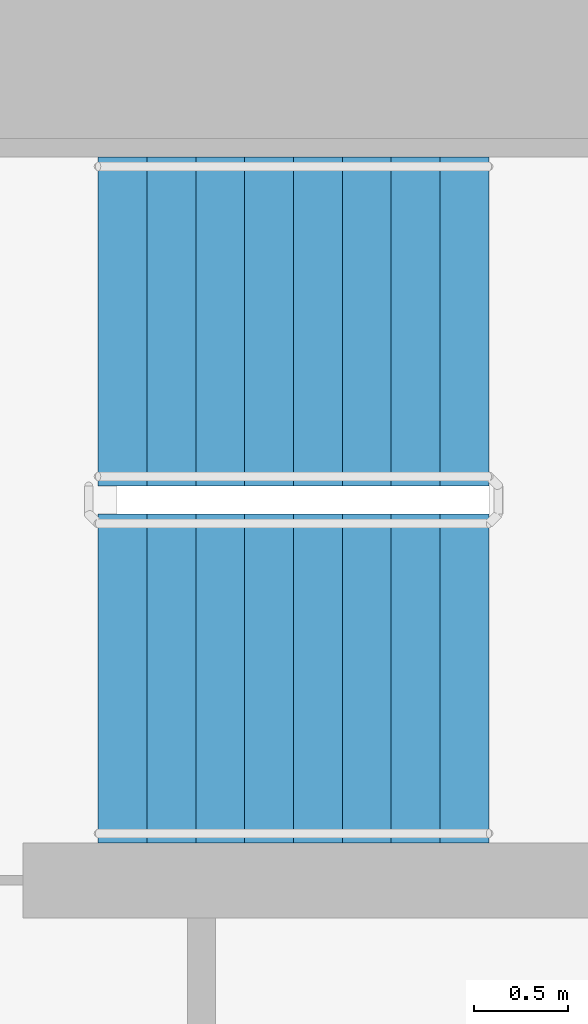
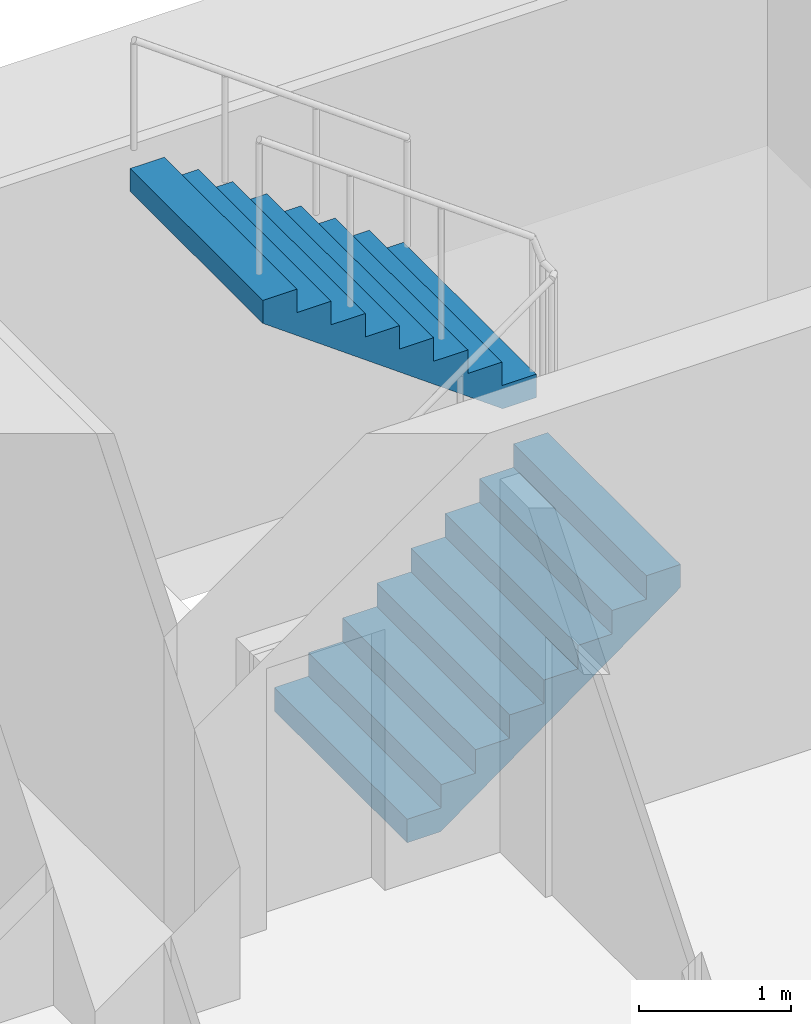
# One storey, part 17 of 21: 2 stair flights, 1 element without a shape of its own.
"""IFC4 building model written with IfcOpenShell, lengths in metres."""

from ifc_helpers import new_model, si_unit, direction, frame, origin, place, context, subcontext, project, spatial, faceted_brep, material, type_object, element, aggregate, save


model = new_model("IFC4")

# Units and contexts
model_context = context("Model", 3, precision=1e-05, world=origin(), true_north=direction((0.0, 1.0)))
body_context = subcontext(model_context, "Body", "Model", "MODEL_VIEW")
ifc_project = project(units=[si_unit("LENGTHUNIT", "METRE"), si_unit("AREAUNIT", "SQUARE_METRE"), si_unit("VOLUMEUNIT", "CUBIC_METRE"), si_unit("PLANEANGLEUNIT", "RADIAN"), si_unit("MASSUNIT", "GRAM", prefix="KILO")], contexts=[model_context])

# Site, building, storey
site_placement = place(None, origin())
site = spatial("IfcSite", under=ifc_project, at=site_placement, CompositionType="ELEMENT")
building_placement = place(site_placement, origin())
building = spatial("IfcBuilding", under=site, at=building_placement, Name="Ipe Terrace Towers", CompositionType="ELEMENT")
storey_placement = place(building_placement, frame((0.0, 0.0, 48.300048828125)))
storey = spatial("IfcBuildingStorey", under=building, at=storey_placement, Name="L12", CompositionType="ELEMENT", Elevation=48.300048828125)

# Stair, stair flights
ifc_material_1 = material(Name="Concrete C30/37", Category="concrete")
stair_type = type_object("IfcStairType", Name="Protected exit stair", PredefinedType="HALF_TURN_STAIR", material=ifc_material_1)
stair_placement = place(storey_placement, origin())
stair = element("IfcStair", 1, at=stair_placement, inside=storey, type_object=stair_type, Name="L12 Exit stair T1-C1", PredefinedType="HALF_TURN_STAIR")
ifc_material_2 = material(Name="Concrete C30/37", Category="concrete")
stair_flight_type = type_object("IfcStairFlightType", Name="Exit stair flight 1750", PredefinedType="STRAIGHT", material=ifc_material_2)
stair_flight_1_placement = place(storey_placement, frame((-26.300048828125, 2.77490234375, 0.0), z_axis=(0.0, 0.0, 1.0), x_axis=(1.0, 0.0, 0.0)))
stair_flight_1 = element("IfcStairFlight", 2, at=stair_flight_1_placement, type_object=stair_flight_type, Name="T1-ST1 flight 1", NumberOfRisers=9, NumberOfTreads=8, PredefinedType="STRAIGHT", RiserHeight=0.188888889, TreadLength=0.26, context=body_context, shape_type="Brep", body=[
    faceted_brep([(0.255126953125, -0.875, 0.0), (2.080078125, -0.875, 1.325927734375), (2.080078125, -0.875, 1.51123046875), (1.820068359375, -0.875, 1.51123046875), (1.820068359375, -0.875, 1.322265625), (1.56005859375, -0.875, 1.322265625), (1.56005859375, -0.875, 1.13330078125), (1.300048828125, -0.875, 1.13330078125), (1.300048828125, -0.875, 0.9443359375), (1.0400390625, -0.875, 0.9443359375), (1.0400390625, -0.875, 0.755615234375), (0.780029296875, -0.875, 0.755615234375), (0.780029296875, -0.875, 0.566650390625), (0.52001953125, -0.875, 0.566650390625), (0.52001953125, -0.875, 0.377685546875), (0.260009765625, -0.875, 0.377685546875), (0.260009765625, -0.875, 0.18896484375), (0.0, -0.875, 0.18896484375), (0.0, -0.875, 0.0), (0.0, 0.875, 0.0), (0.0, 0.875, 0.18896484375), (0.260009765625, 0.875, 0.18896484375), (0.260009765625, 0.875, 0.377685546875), (0.52001953125, 0.875, 0.377685546875), (0.52001953125, 0.875, 0.566650390625), (0.780029296875, 0.875, 0.566650390625), (0.780029296875, 0.875, 0.755615234375), (1.0400390625, 0.875, 0.755615234375), (1.0400390625, 0.875, 0.9443359375), (1.300048828125, 0.875, 0.9443359375), (1.300048828125, 0.875, 1.13330078125), (1.56005859375, 0.875, 1.13330078125), (1.56005859375, 0.875, 1.322265625), (1.820068359375, 0.875, 1.322265625), (1.820068359375, 0.875, 1.51123046875), (2.080078125, 0.875, 1.51123046875), (2.080078125, 0.875, 1.325927734375), (0.255126953125, 0.875, 0.0), (0.0, -0.300048828125, 0.18896484375), (0.0, -0.1201171875, 0.18896484375), (0.0, -0.06005859375, 0.18896484375), (0.0, -0.030029296875, 0.18896484375), (0.0, -0.010009765625, 0.18896484375), (0.0, 0.0, 0.18896484375), (0.0, 0.010009765625, 0.18896484375), (0.0, 0.030029296875, 0.18896484375), (0.0, 0.06005859375, 0.18896484375), (0.0, 0.1201171875, 0.18896484375), (0.0, 0.300048828125, 0.18896484375), (0.0, 0.300048828125, 0.0), (0.0, 0.1201171875, 0.0), (0.0, 0.06005859375, 0.0), (0.0, 0.030029296875, 0.0), (0.0, 0.010009765625, 0.0), (0.0, 0.0, 0.0), (0.0, -0.010009765625, 0.0), (0.0, -0.030029296875, 0.0), (0.0, -0.06005859375, 0.0), (0.0, -0.1201171875, 0.0), (0.0, -0.300048828125, 0.0), (0.260009765625, -0.300048828125, 0.18896484375), (0.260009765625, -0.1201171875, 0.18896484375), (0.260009765625, -0.06005859375, 0.18896484375), (0.260009765625, -0.030029296875, 0.18896484375), (0.260009765625, -0.010009765625, 0.18896484375), (0.260009765625, 0.0, 0.18896484375), (0.260009765625, 0.010009765625, 0.18896484375), (0.260009765625, 0.030029296875, 0.18896484375), (0.260009765625, 0.06005859375, 0.18896484375), (0.260009765625, 0.1201171875, 0.18896484375), (0.260009765625, 0.300048828125, 0.18896484375), (0.260009765625, -0.300048828125, 0.377685546875), (0.260009765625, -0.1201171875, 0.377685546875), (0.260009765625, -0.06005859375, 0.377685546875), (0.260009765625, -0.030029296875, 0.377685546875), (0.260009765625, -0.010009765625, 0.377685546875), (0.260009765625, 0.0, 0.377685546875), (0.260009765625, 0.010009765625, 0.377685546875), (0.260009765625, 0.030029296875, 0.377685546875), (0.260009765625, 0.06005859375, 0.377685546875), (0.260009765625, 0.1201171875, 0.377685546875), (0.260009765625, 0.300048828125, 0.377685546875), (0.52001953125, -0.300048828125, 0.377685546875), (0.52001953125, -0.1201171875, 0.377685546875), (0.52001953125, -0.06005859375, 0.377685546875), (0.52001953125, -0.030029296875, 0.377685546875), (0.52001953125, -0.010009765625, 0.377685546875), (0.52001953125, 0.0, 0.377685546875), (0.52001953125, 0.010009765625, 0.377685546875), (0.52001953125, 0.030029296875, 0.377685546875), (0.52001953125, 0.06005859375, 0.377685546875), (0.52001953125, 0.1201171875, 0.377685546875), (0.52001953125, 0.300048828125, 0.377685546875), (0.52001953125, -0.300048828125, 0.566650390625), (0.52001953125, -0.1201171875, 0.566650390625), (0.52001953125, -0.06005859375, 0.566650390625), (0.52001953125, -0.030029296875, 0.566650390625), (0.52001953125, -0.010009765625, 0.566650390625), (0.52001953125, 0.0, 0.566650390625), (0.52001953125, 0.010009765625, 0.566650390625), (0.52001953125, 0.030029296875, 0.566650390625), (0.52001953125, 0.06005859375, 0.566650390625), (0.52001953125, 0.1201171875, 0.566650390625), (0.52001953125, 0.300048828125, 0.566650390625), (0.780029296875, -0.300048828125, 0.566650390625), (0.780029296875, -0.1201171875, 0.566650390625), (0.780029296875, -0.06005859375, 0.566650390625), (0.780029296875, -0.030029296875, 0.566650390625), (0.780029296875, -0.010009765625, 0.566650390625), (0.780029296875, 0.0, 0.566650390625), (0.780029296875, 0.010009765625, 0.566650390625), (0.780029296875, 0.030029296875, 0.566650390625), (0.780029296875, 0.06005859375, 0.566650390625), (0.780029296875, 0.1201171875, 0.566650390625), (0.780029296875, 0.300048828125, 0.566650390625), (0.780029296875, -0.300048828125, 0.755615234375), (0.780029296875, -0.1201171875, 0.755615234375), (0.780029296875, -0.06005859375, 0.755615234375), (0.780029296875, -0.030029296875, 0.755615234375), (0.780029296875, -0.010009765625, 0.755615234375), (0.780029296875, 0.0, 0.755615234375), (0.780029296875, 0.010009765625, 0.755615234375), (0.780029296875, 0.030029296875, 0.755615234375), (0.780029296875, 0.06005859375, 0.755615234375), (0.780029296875, 0.1201171875, 0.755615234375), (0.780029296875, 0.300048828125, 0.755615234375), (1.0400390625, -0.300048828125, 0.755615234375), (1.0400390625, -0.1201171875, 0.755615234375), (1.0400390625, -0.06005859375, 0.755615234375), (1.0400390625, -0.030029296875, 0.755615234375), (1.0400390625, -0.010009765625, 0.755615234375), (1.0400390625, 0.0, 0.755615234375), (1.0400390625, 0.010009765625, 0.755615234375), (1.0400390625, 0.030029296875, 0.755615234375), (1.0400390625, 0.06005859375, 0.755615234375), (1.0400390625, 0.1201171875, 0.755615234375), (1.0400390625, 0.300048828125, 0.755615234375), (1.0400390625, -0.300048828125, 0.9443359375), (1.0400390625, -0.1201171875, 0.9443359375), (1.0400390625, -0.06005859375, 0.9443359375), (1.0400390625, -0.030029296875, 0.9443359375), (1.0400390625, -0.010009765625, 0.9443359375), (1.0400390625, 0.0, 0.9443359375), (1.0400390625, 0.010009765625, 0.9443359375), (1.0400390625, 0.030029296875, 0.9443359375), (1.0400390625, 0.06005859375, 0.9443359375), (1.0400390625, 0.1201171875, 0.9443359375), (1.0400390625, 0.300048828125, 0.9443359375), (1.300048828125, -0.300048828125, 0.9443359375), (1.300048828125, -0.1201171875, 0.9443359375), (1.300048828125, -0.06005859375, 0.9443359375), (1.300048828125, -0.030029296875, 0.9443359375), (1.300048828125, -0.010009765625, 0.9443359375), (1.300048828125, 0.0, 0.9443359375), (1.300048828125, 0.010009765625, 0.9443359375), (1.300048828125, 0.030029296875, 0.9443359375), (1.300048828125, 0.06005859375, 0.9443359375), (1.300048828125, 0.1201171875, 0.9443359375), (1.300048828125, 0.300048828125, 0.9443359375), (1.300048828125, -0.300048828125, 1.13330078125), (1.300048828125, -0.1201171875, 1.13330078125), (1.300048828125, -0.06005859375, 1.13330078125), (1.300048828125, -0.030029296875, 1.13330078125), (1.300048828125, -0.010009765625, 1.13330078125), (1.300048828125, 0.0, 1.13330078125), (1.300048828125, 0.010009765625, 1.13330078125), (1.300048828125, 0.030029296875, 1.13330078125), (1.300048828125, 0.06005859375, 1.13330078125), (1.300048828125, 0.1201171875, 1.13330078125), (1.300048828125, 0.300048828125, 1.13330078125), (1.56005859375, -0.300048828125, 1.13330078125), (1.56005859375, -0.1201171875, 1.13330078125), (1.56005859375, -0.06005859375, 1.13330078125), (1.56005859375, -0.030029296875, 1.13330078125), (1.56005859375, -0.010009765625, 1.13330078125), (1.56005859375, 0.0, 1.13330078125), (1.56005859375, 0.010009765625, 1.13330078125), (1.56005859375, 0.030029296875, 1.13330078125), (1.56005859375, 0.06005859375, 1.13330078125), (1.56005859375, 0.1201171875, 1.13330078125), (1.56005859375, 0.300048828125, 1.13330078125), (1.56005859375, -0.300048828125, 1.322265625), (1.56005859375, -0.1201171875, 1.322265625), (1.56005859375, -0.06005859375, 1.322265625), (1.56005859375, -0.030029296875, 1.322265625), (1.56005859375, -0.010009765625, 1.322265625), (1.56005859375, 0.0, 1.322265625), (1.56005859375, 0.010009765625, 1.322265625), (1.56005859375, 0.030029296875, 1.322265625), (1.56005859375, 0.06005859375, 1.322265625), (1.56005859375, 0.1201171875, 1.322265625), (1.56005859375, 0.300048828125, 1.322265625), (1.820068359375, -0.300048828125, 1.322265625), (1.820068359375, -0.1201171875, 1.322265625), (1.820068359375, -0.06005859375, 1.322265625), (1.820068359375, -0.030029296875, 1.322265625), (1.820068359375, -0.010009765625, 1.322265625), (1.820068359375, 0.0, 1.322265625), (1.820068359375, 0.010009765625, 1.322265625), (1.820068359375, 0.030029296875, 1.322265625), (1.820068359375, 0.06005859375, 1.322265625), (1.820068359375, 0.1201171875, 1.322265625), (1.820068359375, 0.300048828125, 1.322265625), (1.820068359375, -0.300048828125, 1.51123046875), (1.820068359375, -0.1201171875, 1.51123046875), (1.820068359375, -0.06005859375, 1.51123046875), (1.820068359375, -0.030029296875, 1.51123046875), (1.820068359375, -0.010009765625, 1.51123046875), (1.820068359375, 0.0, 1.51123046875), (1.820068359375, 0.010009765625, 1.51123046875), (1.820068359375, 0.030029296875, 1.51123046875), (1.820068359375, 0.06005859375, 1.51123046875), (1.820068359375, 0.1201171875, 1.51123046875), (1.820068359375, 0.300048828125, 1.51123046875), (2.080078125, -0.300048828125, 1.51123046875), (2.080078125, -0.1201171875, 1.51123046875), (2.080078125, -0.06005859375, 1.51123046875), (2.080078125, -0.030029296875, 1.51123046875), (2.080078125, -0.010009765625, 1.51123046875), (2.080078125, 0.0, 1.51123046875), (2.080078125, 0.010009765625, 1.51123046875), (2.080078125, 0.030029296875, 1.51123046875), (2.080078125, 0.06005859375, 1.51123046875), (2.080078125, 0.1201171875, 1.51123046875), (2.080078125, 0.300048828125, 1.51123046875), (2.080078125, -0.300048828125, 1.325927734375), (2.080078125, -0.1201171875, 1.325927734375), (2.080078125, -0.06005859375, 1.325927734375), (2.080078125, -0.030029296875, 1.325927734375), (2.080078125, -0.010009765625, 1.325927734375), (2.080078125, 0.0, 1.325927734375), (2.080078125, 0.010009765625, 1.325927734375), (2.080078125, 0.030029296875, 1.325927734375), (2.080078125, 0.06005859375, 1.325927734375), (2.080078125, 0.1201171875, 1.325927734375), (2.080078125, 0.300048828125, 1.325927734375), (0.255126953125, -0.300048828125, 0.0), (0.255126953125, -0.1201171875, 0.0), (0.255126953125, -0.06005859375, 0.0), (0.255126953125, -0.030029296875, 0.0), (0.255126953125, -0.010009765625, 0.0), (0.255126953125, 0.0, 0.0), (0.255126953125, 0.010009765625, 0.0), (0.255126953125, 0.030029296875, 0.0), (0.255126953125, 0.06005859375, 0.0), (0.255126953125, 0.1201171875, 0.0), (0.255126953125, 0.300048828125, 0.0)], [[[0, 1, 2, 3, 4, 5, 6, 7, 8, 9, 10, 11, 12, 13, 14, 15, 16, 17, 18]], [[19, 20, 21, 22, 23, 24, 25, 26, 27, 28, 29, 30, 31, 32, 33, 34, 35, 36, 37]], [[17, 38, 39, 40, 41, 42, 43, 44, 45, 46, 47, 48, 20, 19, 49, 50, 51, 52, 53, 54, 55, 56, 57, 58, 59, 18]], [[16, 60, 61, 62, 63, 64, 65, 66, 67, 68, 69, 70, 21, 20, 48, 47, 46, 45, 44, 43, 42, 41, 40, 39, 38, 17]], [[15, 71, 72, 73, 74, 75, 76, 77, 78, 79, 80, 81, 22, 21, 70, 69, 68, 67, 66, 65, 64, 63, 62, 61, 60, 16]], [[14, 82, 83, 84, 85, 86, 87, 88, 89, 90, 91, 92, 23, 22, 81, 80, 79, 78, 77, 76, 75, 74, 73, 72, 71, 15]], [[13, 93, 94, 95, 96, 97, 98, 99, 100, 101, 102, 103, 24, 23, 92, 91, 90, 89, 88, 87, 86, 85, 84, 83, 82, 14]], [[12, 104, 105, 106, 107, 108, 109, 110, 111, 112, 113, 114, 25, 24, 103, 102, 101, 100, 99, 98, 97, 96, 95, 94, 93, 13]], [[11, 115, 116, 117, 118, 119, 120, 121, 122, 123, 124, 125, 26, 25, 114, 113, 112, 111, 110, 109, 108, 107, 106, 105, 104, 12]], [[10, 126, 127, 128, 129, 130, 131, 132, 133, 134, 135, 136, 27, 26, 125, 124, 123, 122, 121, 120, 119, 118, 117, 116, 115, 11]], [[9, 137, 138, 139, 140, 141, 142, 143, 144, 145, 146, 147, 28, 27, 136, 135, 134, 133, 132, 131, 130, 129, 128, 127, 126, 10]], [[8, 148, 149, 150, 151, 152, 153, 154, 155, 156, 157, 158, 29, 28, 147, 146, 145, 144, 143, 142, 141, 140, 139, 138, 137, 9]], [[7, 159, 160, 161, 162, 163, 164, 165, 166, 167, 168, 169, 30, 29, 158, 157, 156, 155, 154, 153, 152, 151, 150, 149, 148, 8]], [[6, 170, 171, 172, 173, 174, 175, 176, 177, 178, 179, 180, 31, 30, 169, 168, 167, 166, 165, 164, 163, 162, 161, 160, 159, 7]], [[5, 181, 182, 183, 184, 185, 186, 187, 188, 189, 190, 191, 32, 31, 180, 179, 178, 177, 176, 175, 174, 173, 172, 171, 170, 6]], [[4, 192, 193, 194, 195, 196, 197, 198, 199, 200, 201, 202, 33, 32, 191, 190, 189, 188, 187, 186, 185, 184, 183, 182, 181, 5]], [[3, 203, 204, 205, 206, 207, 208, 209, 210, 211, 212, 213, 34, 33, 202, 201, 200, 199, 198, 197, 196, 195, 194, 193, 192, 4]], [[2, 214, 215, 216, 217, 218, 219, 220, 221, 222, 223, 224, 35, 34, 213, 212, 211, 210, 209, 208, 207, 206, 205, 204, 203, 3]], [[1, 225, 226, 227, 228, 229, 230, 231, 232, 233, 234, 235, 36, 35, 224, 223, 222, 221, 220, 219, 218, 217, 216, 215, 214, 2]], [[0, 236, 237, 238, 239, 240, 241, 242, 243, 244, 245, 246, 37, 36, 235, 234, 233, 232, 231, 230, 229, 228, 227, 226, 225, 1]], [[18, 59, 58, 57, 56, 55, 54, 53, 52, 51, 50, 49, 19, 37, 246, 245, 244, 243, 242, 241, 240, 239, 238, 237, 236, 0]]]),
])
stair_flight_2_placement = place(storey_placement, frame((-24.219970703125, 4.675048828125, 1.699951171875), z_axis=(0.0, 0.0, 1.0), x_axis=(-1.0, 0.0, 0.0)))
stair_flight_2 = element("IfcStairFlight", 3, at=stair_flight_2_placement, type_object=stair_flight_type, Name="T1-ST1 flight 2", NumberOfRisers=9, NumberOfTreads=8, PredefinedType="STRAIGHT", RiserHeight=0.188888889, TreadLength=0.26, context=body_context, shape_type="Brep", body=[
    faceted_brep([(0.255126953125, -0.875, 0.0), (2.080078125, -0.875, 1.325927734375), (2.080078125, -0.875, 1.51123046875), (1.820068359375, -0.875, 1.51123046875), (1.820068359375, -0.875, 1.322265625), (1.56005859375, -0.875, 1.322265625), (1.56005859375, -0.875, 1.13330078125), (1.300048828125, -0.875, 1.13330078125), (1.300048828125, -0.875, 0.9443359375), (1.0400390625, -0.875, 0.9443359375), (1.0400390625, -0.875, 0.755615234375), (0.780029296875, -0.875, 0.755615234375), (0.780029296875, -0.875, 0.566650390625), (0.52001953125, -0.875, 0.566650390625), (0.52001953125, -0.875, 0.377685546875), (0.260009765625, -0.875, 0.377685546875), (0.260009765625, -0.875, 0.18896484375), (0.0, -0.875, 0.18896484375), (0.0, -0.875, 0.0), (0.0, 0.875, 0.0), (0.0, 0.875, 0.18896484375), (0.260009765625, 0.875, 0.18896484375), (0.260009765625, 0.875, 0.377685546875), (0.52001953125, 0.875, 0.377685546875), (0.52001953125, 0.875, 0.566650390625), (0.780029296875, 0.875, 0.566650390625), (0.780029296875, 0.875, 0.755615234375), (1.0400390625, 0.875, 0.755615234375), (1.0400390625, 0.875, 0.9443359375), (1.300048828125, 0.875, 0.9443359375), (1.300048828125, 0.875, 1.13330078125), (1.56005859375, 0.875, 1.13330078125), (1.56005859375, 0.875, 1.322265625), (1.820068359375, 0.875, 1.322265625), (1.820068359375, 0.875, 1.51123046875), (2.080078125, 0.875, 1.51123046875), (2.080078125, 0.875, 1.325927734375), (0.255126953125, 0.875, 0.0), (0.0, -0.300048828125, 0.18896484375), (0.0, -0.1201171875, 0.18896484375), (0.0, -0.06005859375, 0.18896484375), (0.0, -0.030029296875, 0.18896484375), (0.0, -0.010009765625, 0.18896484375), (0.0, 0.0, 0.18896484375), (0.0, 0.010009765625, 0.18896484375), (0.0, 0.030029296875, 0.18896484375), (0.0, 0.06005859375, 0.18896484375), (0.0, 0.1201171875, 0.18896484375), (0.0, 0.300048828125, 0.18896484375), (0.0, 0.300048828125, 0.0), (0.0, 0.1201171875, 0.0), (0.0, 0.06005859375, 0.0), (0.0, 0.030029296875, 0.0), (0.0, 0.010009765625, 0.0), (0.0, 0.0, 0.0), (0.0, -0.010009765625, 0.0), (0.0, -0.030029296875, 0.0), (0.0, -0.06005859375, 0.0), (0.0, -0.1201171875, 0.0), (0.0, -0.300048828125, 0.0), (0.260009765625, -0.300048828125, 0.18896484375), (0.260009765625, -0.1201171875, 0.18896484375), (0.260009765625, -0.06005859375, 0.18896484375), (0.260009765625, -0.030029296875, 0.18896484375), (0.260009765625, -0.010009765625, 0.18896484375), (0.260009765625, 0.0, 0.18896484375), (0.260009765625, 0.010009765625, 0.18896484375), (0.260009765625, 0.030029296875, 0.18896484375), (0.260009765625, 0.06005859375, 0.18896484375), (0.260009765625, 0.1201171875, 0.18896484375), (0.260009765625, 0.300048828125, 0.18896484375), (0.260009765625, -0.300048828125, 0.377685546875), (0.260009765625, -0.1201171875, 0.377685546875), (0.260009765625, -0.06005859375, 0.377685546875), (0.260009765625, -0.030029296875, 0.377685546875), (0.260009765625, -0.010009765625, 0.377685546875), (0.260009765625, 0.0, 0.377685546875), (0.260009765625, 0.010009765625, 0.377685546875), (0.260009765625, 0.030029296875, 0.377685546875), (0.260009765625, 0.06005859375, 0.377685546875), (0.260009765625, 0.1201171875, 0.377685546875), (0.260009765625, 0.300048828125, 0.377685546875), (0.52001953125, -0.300048828125, 0.377685546875), (0.52001953125, -0.1201171875, 0.377685546875), (0.52001953125, -0.06005859375, 0.377685546875), (0.52001953125, -0.030029296875, 0.377685546875), (0.52001953125, -0.010009765625, 0.377685546875), (0.52001953125, 0.0, 0.377685546875), (0.52001953125, 0.010009765625, 0.377685546875), (0.52001953125, 0.030029296875, 0.377685546875), (0.52001953125, 0.06005859375, 0.377685546875), (0.52001953125, 0.1201171875, 0.377685546875), (0.52001953125, 0.300048828125, 0.377685546875), (0.52001953125, -0.300048828125, 0.566650390625), (0.52001953125, -0.1201171875, 0.566650390625), (0.52001953125, -0.06005859375, 0.566650390625), (0.52001953125, -0.030029296875, 0.566650390625), (0.52001953125, -0.010009765625, 0.566650390625), (0.52001953125, 0.0, 0.566650390625), (0.52001953125, 0.010009765625, 0.566650390625), (0.52001953125, 0.030029296875, 0.566650390625), (0.52001953125, 0.06005859375, 0.566650390625), (0.52001953125, 0.1201171875, 0.566650390625), (0.52001953125, 0.300048828125, 0.566650390625), (0.780029296875, -0.300048828125, 0.566650390625), (0.780029296875, -0.1201171875, 0.566650390625), (0.780029296875, -0.06005859375, 0.566650390625), (0.780029296875, -0.030029296875, 0.566650390625), (0.780029296875, -0.010009765625, 0.566650390625), (0.780029296875, 0.0, 0.566650390625), (0.780029296875, 0.010009765625, 0.566650390625), (0.780029296875, 0.030029296875, 0.566650390625), (0.780029296875, 0.06005859375, 0.566650390625), (0.780029296875, 0.1201171875, 0.566650390625), (0.780029296875, 0.300048828125, 0.566650390625), (0.780029296875, -0.300048828125, 0.755615234375), (0.780029296875, -0.1201171875, 0.755615234375), (0.780029296875, -0.06005859375, 0.755615234375), (0.780029296875, -0.030029296875, 0.755615234375), (0.780029296875, -0.010009765625, 0.755615234375), (0.780029296875, 0.0, 0.755615234375), (0.780029296875, 0.010009765625, 0.755615234375), (0.780029296875, 0.030029296875, 0.755615234375), (0.780029296875, 0.06005859375, 0.755615234375), (0.780029296875, 0.1201171875, 0.755615234375), (0.780029296875, 0.300048828125, 0.755615234375), (1.0400390625, -0.300048828125, 0.755615234375), (1.0400390625, -0.1201171875, 0.755615234375), (1.0400390625, -0.06005859375, 0.755615234375), (1.0400390625, -0.030029296875, 0.755615234375), (1.0400390625, -0.010009765625, 0.755615234375), (1.0400390625, 0.0, 0.755615234375), (1.0400390625, 0.010009765625, 0.755615234375), (1.0400390625, 0.030029296875, 0.755615234375), (1.0400390625, 0.06005859375, 0.755615234375), (1.0400390625, 0.1201171875, 0.755615234375), (1.0400390625, 0.300048828125, 0.755615234375), (1.0400390625, -0.300048828125, 0.9443359375), (1.0400390625, -0.1201171875, 0.9443359375), (1.0400390625, -0.06005859375, 0.9443359375), (1.0400390625, -0.030029296875, 0.9443359375), (1.0400390625, -0.010009765625, 0.9443359375), (1.0400390625, 0.0, 0.9443359375), (1.0400390625, 0.010009765625, 0.9443359375), (1.0400390625, 0.030029296875, 0.9443359375), (1.0400390625, 0.06005859375, 0.9443359375), (1.0400390625, 0.1201171875, 0.9443359375), (1.0400390625, 0.300048828125, 0.9443359375), (1.300048828125, -0.300048828125, 0.9443359375), (1.300048828125, -0.1201171875, 0.9443359375), (1.300048828125, -0.06005859375, 0.9443359375), (1.300048828125, -0.030029296875, 0.9443359375), (1.300048828125, -0.010009765625, 0.9443359375), (1.300048828125, 0.0, 0.9443359375), (1.300048828125, 0.010009765625, 0.9443359375), (1.300048828125, 0.030029296875, 0.9443359375), (1.300048828125, 0.06005859375, 0.9443359375), (1.300048828125, 0.1201171875, 0.9443359375), (1.300048828125, 0.300048828125, 0.9443359375), (1.300048828125, -0.300048828125, 1.13330078125), (1.300048828125, -0.1201171875, 1.13330078125), (1.300048828125, -0.06005859375, 1.13330078125), (1.300048828125, -0.030029296875, 1.13330078125), (1.300048828125, -0.010009765625, 1.13330078125), (1.300048828125, 0.0, 1.13330078125), (1.300048828125, 0.010009765625, 1.13330078125), (1.300048828125, 0.030029296875, 1.13330078125), (1.300048828125, 0.06005859375, 1.13330078125), (1.300048828125, 0.1201171875, 1.13330078125), (1.300048828125, 0.300048828125, 1.13330078125), (1.56005859375, -0.300048828125, 1.13330078125), (1.56005859375, -0.1201171875, 1.13330078125), (1.56005859375, -0.06005859375, 1.13330078125), (1.56005859375, -0.030029296875, 1.13330078125), (1.56005859375, -0.010009765625, 1.13330078125), (1.56005859375, 0.0, 1.13330078125), (1.56005859375, 0.010009765625, 1.13330078125), (1.56005859375, 0.030029296875, 1.13330078125), (1.56005859375, 0.06005859375, 1.13330078125), (1.56005859375, 0.1201171875, 1.13330078125), (1.56005859375, 0.300048828125, 1.13330078125), (1.56005859375, -0.300048828125, 1.322265625), (1.56005859375, -0.1201171875, 1.322265625), (1.56005859375, -0.06005859375, 1.322265625), (1.56005859375, -0.030029296875, 1.322265625), (1.56005859375, -0.010009765625, 1.322265625), (1.56005859375, 0.0, 1.322265625), (1.56005859375, 0.010009765625, 1.322265625), (1.56005859375, 0.030029296875, 1.322265625), (1.56005859375, 0.06005859375, 1.322265625), (1.56005859375, 0.1201171875, 1.322265625), (1.56005859375, 0.300048828125, 1.322265625), (1.820068359375, -0.300048828125, 1.322265625), (1.820068359375, -0.1201171875, 1.322265625), (1.820068359375, -0.06005859375, 1.322265625), (1.820068359375, -0.030029296875, 1.322265625), (1.820068359375, -0.010009765625, 1.322265625), (1.820068359375, 0.0, 1.322265625), (1.820068359375, 0.010009765625, 1.322265625), (1.820068359375, 0.030029296875, 1.322265625), (1.820068359375, 0.06005859375, 1.322265625), (1.820068359375, 0.1201171875, 1.322265625), (1.820068359375, 0.300048828125, 1.322265625), (1.820068359375, -0.300048828125, 1.51123046875), (1.820068359375, -0.1201171875, 1.51123046875), (1.820068359375, -0.06005859375, 1.51123046875), (1.820068359375, -0.030029296875, 1.51123046875), (1.820068359375, -0.010009765625, 1.51123046875), (1.820068359375, 0.0, 1.51123046875), (1.820068359375, 0.010009765625, 1.51123046875), (1.820068359375, 0.030029296875, 1.51123046875), (1.820068359375, 0.06005859375, 1.51123046875), (1.820068359375, 0.1201171875, 1.51123046875), (1.820068359375, 0.300048828125, 1.51123046875), (2.080078125, -0.300048828125, 1.51123046875), (2.080078125, -0.1201171875, 1.51123046875), (2.080078125, -0.06005859375, 1.51123046875), (2.080078125, -0.030029296875, 1.51123046875), (2.080078125, -0.010009765625, 1.51123046875), (2.080078125, 0.0, 1.51123046875), (2.080078125, 0.010009765625, 1.51123046875), (2.080078125, 0.030029296875, 1.51123046875), (2.080078125, 0.06005859375, 1.51123046875), (2.080078125, 0.1201171875, 1.51123046875), (2.080078125, 0.300048828125, 1.51123046875), (2.080078125, -0.300048828125, 1.325927734375), (2.080078125, -0.1201171875, 1.325927734375), (2.080078125, -0.06005859375, 1.325927734375), (2.080078125, -0.030029296875, 1.325927734375), (2.080078125, -0.010009765625, 1.325927734375), (2.080078125, 0.0, 1.325927734375), (2.080078125, 0.010009765625, 1.325927734375), (2.080078125, 0.030029296875, 1.325927734375), (2.080078125, 0.06005859375, 1.325927734375), (2.080078125, 0.1201171875, 1.325927734375), (2.080078125, 0.300048828125, 1.325927734375), (0.255126953125, -0.300048828125, 0.0), (0.255126953125, -0.1201171875, 0.0), (0.255126953125, -0.06005859375, 0.0), (0.255126953125, -0.030029296875, 0.0), (0.255126953125, -0.010009765625, 0.0), (0.255126953125, 0.0, 0.0), (0.255126953125, 0.010009765625, 0.0), (0.255126953125, 0.030029296875, 0.0), (0.255126953125, 0.06005859375, 0.0), (0.255126953125, 0.1201171875, 0.0), (0.255126953125, 0.300048828125, 0.0)], [[[0, 1, 2, 3, 4, 5, 6, 7, 8, 9, 10, 11, 12, 13, 14, 15, 16, 17, 18]], [[19, 20, 21, 22, 23, 24, 25, 26, 27, 28, 29, 30, 31, 32, 33, 34, 35, 36, 37]], [[17, 38, 39, 40, 41, 42, 43, 44, 45, 46, 47, 48, 20, 19, 49, 50, 51, 52, 53, 54, 55, 56, 57, 58, 59, 18]], [[16, 60, 61, 62, 63, 64, 65, 66, 67, 68, 69, 70, 21, 20, 48, 47, 46, 45, 44, 43, 42, 41, 40, 39, 38, 17]], [[15, 71, 72, 73, 74, 75, 76, 77, 78, 79, 80, 81, 22, 21, 70, 69, 68, 67, 66, 65, 64, 63, 62, 61, 60, 16]], [[14, 82, 83, 84, 85, 86, 87, 88, 89, 90, 91, 92, 23, 22, 81, 80, 79, 78, 77, 76, 75, 74, 73, 72, 71, 15]], [[13, 93, 94, 95, 96, 97, 98, 99, 100, 101, 102, 103, 24, 23, 92, 91, 90, 89, 88, 87, 86, 85, 84, 83, 82, 14]], [[12, 104, 105, 106, 107, 108, 109, 110, 111, 112, 113, 114, 25, 24, 103, 102, 101, 100, 99, 98, 97, 96, 95, 94, 93, 13]], [[11, 115, 116, 117, 118, 119, 120, 121, 122, 123, 124, 125, 26, 25, 114, 113, 112, 111, 110, 109, 108, 107, 106, 105, 104, 12]], [[10, 126, 127, 128, 129, 130, 131, 132, 133, 134, 135, 136, 27, 26, 125, 124, 123, 122, 121, 120, 119, 118, 117, 116, 115, 11]], [[9, 137, 138, 139, 140, 141, 142, 143, 144, 145, 146, 147, 28, 27, 136, 135, 134, 133, 132, 131, 130, 129, 128, 127, 126, 10]], [[8, 148, 149, 150, 151, 152, 153, 154, 155, 156, 157, 158, 29, 28, 147, 146, 145, 144, 143, 142, 141, 140, 139, 138, 137, 9]], [[7, 159, 160, 161, 162, 163, 164, 165, 166, 167, 168, 169, 30, 29, 158, 157, 156, 155, 154, 153, 152, 151, 150, 149, 148, 8]], [[6, 170, 171, 172, 173, 174, 175, 176, 177, 178, 179, 180, 31, 30, 169, 168, 167, 166, 165, 164, 163, 162, 161, 160, 159, 7]], [[5, 181, 182, 183, 184, 185, 186, 187, 188, 189, 190, 191, 32, 31, 180, 179, 178, 177, 176, 175, 174, 173, 172, 171, 170, 6]], [[4, 192, 193, 194, 195, 196, 197, 198, 199, 200, 201, 202, 33, 32, 191, 190, 189, 188, 187, 186, 185, 184, 183, 182, 181, 5]], [[3, 203, 204, 205, 206, 207, 208, 209, 210, 211, 212, 213, 34, 33, 202, 201, 200, 199, 198, 197, 196, 195, 194, 193, 192, 4]], [[2, 214, 215, 216, 217, 218, 219, 220, 221, 222, 223, 224, 35, 34, 213, 212, 211, 210, 209, 208, 207, 206, 205, 204, 203, 3]], [[1, 225, 226, 227, 228, 229, 230, 231, 232, 233, 234, 235, 36, 35, 224, 223, 222, 221, 220, 219, 218, 217, 216, 215, 214, 2]], [[0, 236, 237, 238, 239, 240, 241, 242, 243, 244, 245, 246, 37, 36, 235, 234, 233, 232, 231, 230, 229, 228, 227, 226, 225, 1]], [[18, 59, 58, 57, 56, 55, 54, 53, 52, 51, 50, 49, 19, 37, 246, 245, 244, 243, 242, 241, 240, 239, 238, 237, 236, 0]]]),
])
aggregate(stair, [stair_flight_1, stair_flight_2])

save(model, "model.ifc")
